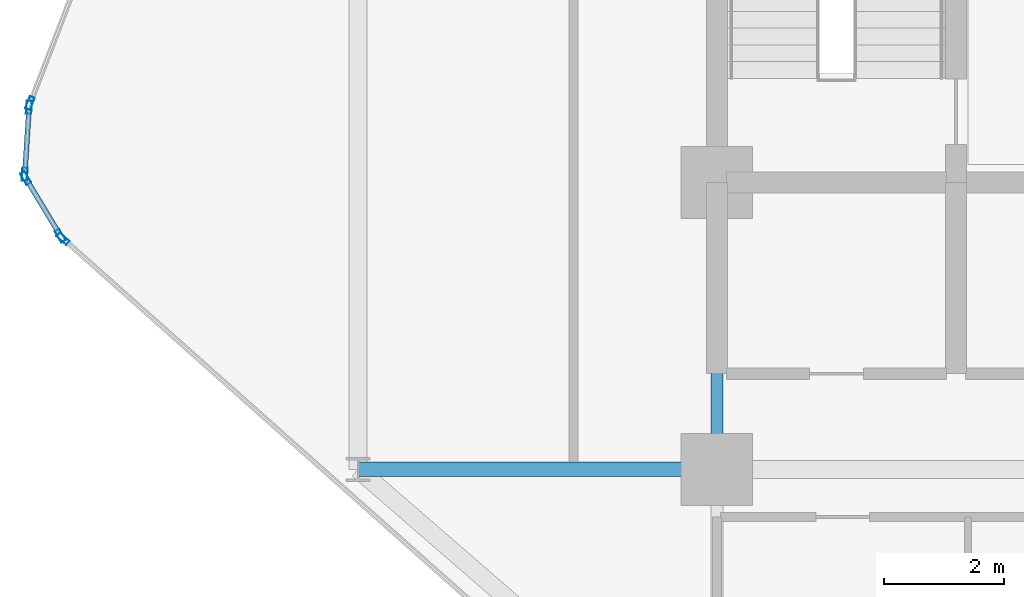
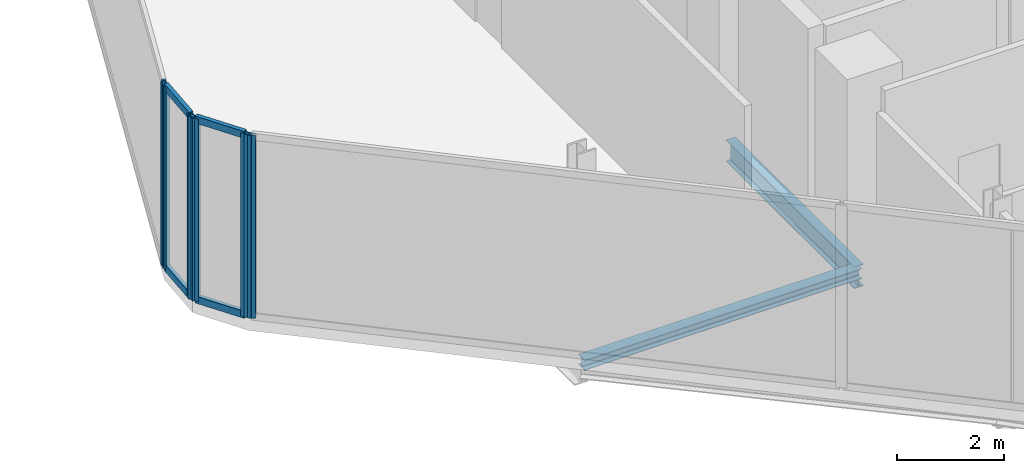
# One storey, part 6 of 30: 10 members, 2 beams, 4 elements without a shape of their own.
"""IFC4 building model written with IfcOpenShell, lengths in metres."""

from ifc_helpers import new_model, si_unit, direction, frame, origin, origin_2d, place, context, subcontext, project, spatial, hollow_rectangle, i_section, extrude, material, layer, layer_set, material_profile, profile_set, type_object, element, aggregate, save


model = new_model("IFC4")

# Units and contexts
model_context = context("Model", 3, precision=1e-05, world=origin(), true_north=direction((0.0, 1.0)))
body_context = subcontext(model_context, "Body", "Model", "MODEL_VIEW")
ifc_project = project(units=[si_unit("LENGTHUNIT", "METRE"), si_unit("AREAUNIT", "SQUARE_METRE"), si_unit("VOLUMEUNIT", "CUBIC_METRE"), si_unit("PLANEANGLEUNIT", "RADIAN"), si_unit("MASSUNIT", "GRAM", prefix="KILO")], contexts=[model_context])

# Site, building, storey
site_placement = place(None, origin())
site = spatial("IfcSite", under=ifc_project, at=site_placement, CompositionType="ELEMENT")
building_placement = place(site_placement, origin())
building = spatial("IfcBuilding", under=site, at=building_placement, Name="Keshet Zoharim Tower", CompositionType="ELEMENT")
storey_placement = place(building_placement, frame((0.0, 0.0, 65.60009765625)))
storey = spatial("IfcBuildingStorey", under=building, at=storey_placement, Name="L15", CompositionType="ELEMENT", Elevation=65.60009765625)

# Beams
ifc_material_1 = material(Name="Steel S355", Category="steel")
ifc_material_profile_1 = material_profile(ifc_material_1, i_section(OverallWidth=0.239990234375, OverallDepth=0.22998046875, WebThickness=0.007568359375, FlangeThickness=0.011962890625, FilletRadius=0.02099609375, at=origin_2d()), Name="HEA240")
ifc_profile_set_1 = profile_set([ifc_material_profile_1], Name="Steel S355")
beam_type_1 = type_object("IfcBeamType", Name="BM-LNT-HA240", PredefinedType="LINTEL", material=ifc_profile_set_1)
beam_1_placement = place(storey_placement, frame((9.0, 17.89990234375, -0.43505859375), z_axis=(1.0, 0.0, 0.0), x_axis=(0.0, 1.0, 0.0)))
element("IfcBeam", 1, at=beam_1_placement, inside=storey, type_object=beam_type_1, Name="L15 Primary Girder X-012", PredefinedType="LINTEL", context=body_context, shape_type="SweptSolid", body=[
    extrude(i_section(OverallWidth=0.239990234375, OverallDepth=0.22998046875, WebThickness=0.007568359375, FlangeThickness=0.011962890625, FilletRadius=0.02099609375, at=origin_2d()), origin(), (0.0, 0.0, 1.0), 6.0),
])
ifc_material_profile_2 = material_profile(ifc_material_1, i_section(OverallWidth=0.199951171875, OverallDepth=0.5, WebThickness=0.01025390625, FlangeThickness=0.01611328125, FilletRadius=0.02099609375, at=origin_2d()), Name="IPE500")
ifc_profile_set_2 = profile_set([ifc_material_profile_2], Name="Steel S355")
beam_type_2 = type_object("IfcBeamType", Name="BM-PRI-IP500", PredefinedType="BEAM", material=ifc_profile_set_2)
beam_2_placement = place(storey_placement, frame((15.0, 17.89990234375, -0.570068359375), z_axis=(0.0, 1.0, 0.0), x_axis=(-1.0, 0.0, 0.0)))
element("IfcBeam", 2, at=beam_2_placement, inside=storey, type_object=beam_type_2, Name="L15 Primary Girder Y-003", PredefinedType="BEAM", context=body_context, shape_type="SweptSolid", body=[
    extrude(i_section(OverallWidth=0.199951171875, OverallDepth=0.5, WebThickness=0.01025390625, FlangeThickness=0.01611328125, FilletRadius=0.02099609375, at=origin_2d()), origin(), (0.0, 0.0, 1.0), 4.800048828125),
])

# Curtain wall, member
ifc_material_2 = material(Name="Aluminium 6063-T6", Category="aluminium")
ifc_layer = layer(ifc_material_2, 0.179931640625)
ifc_layer_set = layer_set([ifc_layer], Name="Aluminium 6063-T6")
curtain_wall_type = type_object("IfcCurtainWallType", Name="CW-SYS-01", PredefinedType="NOTDEFINED", material=ifc_layer_set)
curtain_wall_1_placement = place(storey_placement, origin())
curtain_wall_1 = element("IfcCurtainWall", 3, at=curtain_wall_1_placement, inside=storey, type_object=curtain_wall_type, Name="L15 Unitised Curtain Wall 01", PredefinedType="NOTDEFINED")
ifc_material_profile_3 = material_profile(ifc_material_2, hollow_rectangle(XDim=0.090087890625, YDim=0.219970703125, WallThickness=0.0048828125, at=origin_2d()), Name="MUL-90x220")
ifc_profile_set_3 = profile_set([ifc_material_profile_3], Name="Aluminium 6063-T6")
member_type_1 = type_object("IfcMemberType", Name="CWM-M22", PredefinedType="MULLION", material=ifc_profile_set_3)
member_1_placement = place(storey_placement, frame((3.509521484375, 24.025634765625, 0.0), z_axis=(0.0, 0.0, 1.0), x_axis=(-0.933341404361, 0.358990003907, 0.0)))
member_1 = element("IfcMember", 4, at=member_1_placement, type_object=member_type_1, Name="CW-01 mullion 1", PredefinedType="MULLION", context=body_context, shape_type="SweptSolid", body=[
    extrude(hollow_rectangle(XDim=0.090087890625, YDim=0.219970703125, WallThickness=0.0048828125, at=origin_2d()), origin(), (0.0, 0.0, 1.0), 4.184814453125),
])
aggregate(curtain_wall_1, [member_1])

curtain_wall_2_placement = place(storey_placement, origin())
curtain_wall_2 = element("IfcCurtainWall", 5, at=curtain_wall_2_placement, inside=storey, type_object=curtain_wall_type, Name="L15 Unitised Curtain Wall 23", PredefinedType="NOTDEFINED")
member_2_placement = place(storey_placement, frame((4.061279296875, 21.7568359375, 0.0), z_axis=(0.0, 0.0, 1.0), x_axis=(-0.664363838836, -0.747409318679, 0.0)))
member_2 = element("IfcMember", 6, at=member_2_placement, type_object=member_type_1, Name="CW-01 mullion 3", PredefinedType="MULLION", context=body_context, shape_type="SweptSolid", body=[
    extrude(hollow_rectangle(XDim=0.090087890625, YDim=0.219970703125, WallThickness=0.0048828125, at=origin_2d()), origin(), (0.0, 0.0, 1.0), 4.184814453125),
])
aggregate(curtain_wall_2, [member_2])

# Curtain wall, members
curtain_wall_3_placement = place(storey_placement, origin())
curtain_wall_3 = element("IfcCurtainWall", 7, at=curtain_wall_3_placement, inside=storey, type_object=curtain_wall_type, Name="L15 Unitised Curtain Wall 24", PredefinedType="NOTDEFINED")
member_3_placement = place(storey_placement, frame((4.016845703125, 21.81005859375, 0.0), z_axis=(0.0, 0.0, 1.0), x_axis=(-0.856826433805, -0.515604947933, 0.0)))
member_3 = element("IfcMember", 8, at=member_3_placement, type_object=member_type_1, Name="CW-01 mullion 1", PredefinedType="MULLION", context=body_context, shape_type="SweptSolid", body=[
    extrude(hollow_rectangle(XDim=0.090087890625, YDim=0.219970703125, WallThickness=0.0048828125, at=origin_2d()), origin(), (0.0, 0.0, 1.0), 4.184814453125),
])
member_4_placement = place(storey_placement, frame((3.43798828125, 22.77197265625, 0.0), z_axis=(0.0, 0.0, 1.0), x_axis=(-0.856826433805, -0.515604947933, 0.0)))
member_4 = element("IfcMember", 9, at=member_4_placement, type_object=member_type_1, Name="CW-01 mullion 2", PredefinedType="MULLION", context=body_context, shape_type="SweptSolid", body=[
    extrude(hollow_rectangle(XDim=0.090087890625, YDim=0.219970703125, WallThickness=0.0048828125, at=origin_2d()), origin(), (0.0, 0.0, 1.0), 4.184814453125),
])

curtain_wall_4_placement = place(storey_placement, origin())
curtain_wall_4 = element("IfcCurtainWall", 10, at=curtain_wall_4_placement, inside=storey, type_object=curtain_wall_type, Name="L15 Unitised Curtain Wall 25", PredefinedType="NOTDEFINED")
member_5_placement = place(storey_placement, frame((3.42236328125, 22.8369140625, 0.0), z_axis=(0.0, 0.0, 1.0), x_axis=(-0.997916617186, 0.064516859374, 0.0)))
member_5 = element("IfcMember", 11, at=member_5_placement, type_object=member_type_1, Name="CW-01 mullion 1", PredefinedType="MULLION", context=body_context, shape_type="SweptSolid", body=[
    extrude(hollow_rectangle(XDim=0.090087890625, YDim=0.219970703125, WallThickness=0.0048828125, at=origin_2d()), origin(), (0.0, 0.0, 1.0), 4.184814453125),
])
member_6_placement = place(storey_placement, frame((3.49462890625, 23.9580078125, 0.0), z_axis=(0.0, 0.0, 1.0), x_axis=(-0.997916617186, 0.064516859374, 0.0)))
member_6 = element("IfcMember", 12, at=member_6_placement, type_object=member_type_1, Name="CW-01 mullion 2", PredefinedType="MULLION", context=body_context, shape_type="SweptSolid", body=[
    extrude(hollow_rectangle(XDim=0.090087890625, YDim=0.219970703125, WallThickness=0.0048828125, at=origin_2d()), origin(), (0.0, 0.0, 1.0), 4.184814453125),
])

# Member
ifc_material_profile_4 = material_profile(ifc_material_2, hollow_rectangle(XDim=0.0849609375, YDim=0.159912109375, WallThickness=0.00439453125, at=origin_2d()), Name="TRN-85x160")
ifc_profile_set_4 = profile_set([ifc_material_profile_4], Name="Aluminium 6063-T6")
member_type_2 = type_object("IfcMemberType", Name="CWT-T16", PredefinedType="USERDEFINED", material=ifc_profile_set_4)
member_7_placement = place(storey_placement, frame((3.9990234375, 21.840087890625, 0.034912109375), z_axis=(-0.515791194107, 0.856714330499, 0.0), x_axis=(-0.856714330499, -0.515791194107, 0.0)))
member_7 = element("IfcMember", 13, at=member_7_placement, type_object=member_type_2, Name="CW-01 transom 1.1", ObjectType="TRANSOM", PredefinedType="USERDEFINED", context=body_context, shape_type="SweptSolid", body=[
    extrude(hollow_rectangle(XDim=0.0849609375, YDim=0.159912109375, WallThickness=0.00439453125, at=origin_2d()), origin(), (0.0, 0.0, 1.0), 1.052734375),
])

member_8_placement = place(storey_placement, frame((3.9990234375, 21.840087890625, 4.14990234375), z_axis=(-0.515791194107, 0.856714330499, 0.0), x_axis=(-0.856714330499, -0.515791194107, 0.0)))
member_8 = element("IfcMember", 14, at=member_8_placement, type_object=member_type_2, Name="CW-01 transom 1.2", ObjectType="TRANSOM", PredefinedType="USERDEFINED", context=body_context, shape_type="SweptSolid", body=[
    extrude(hollow_rectangle(XDim=0.0849609375, YDim=0.159912109375, WallThickness=0.00439453125, at=origin_2d()), origin(), (0.0, 0.0, 1.0), 1.052734375),
])

aggregate(curtain_wall_3, [member_3, member_4, member_7, member_8])

member_9_placement = place(storey_placement, frame((3.424560546875, 22.871826171875, 0.034912109375), z_axis=(0.064426947155, 0.997922426083, 0.0), x_axis=(-0.997922426083, 0.064426947155, 0.0)))
member_9 = element("IfcMember", 15, at=member_9_placement, type_object=member_type_2, Name="CW-01 transom 1.1", ObjectType="TRANSOM", PredefinedType="USERDEFINED", context=body_context, shape_type="SweptSolid", body=[
    extrude(hollow_rectangle(XDim=0.0849609375, YDim=0.159912109375, WallThickness=0.00439453125, at=origin_2d()), origin(), (0.0, 0.0, 1.0), 1.053466796875),
])

member_10_placement = place(storey_placement, frame((3.424560546875, 22.871826171875, 4.14990234375), z_axis=(0.064426947155, 0.997922426083, 0.0), x_axis=(-0.997922426083, 0.064426947155, 0.0)))
member_10 = element("IfcMember", 16, at=member_10_placement, type_object=member_type_2, Name="CW-01 transom 1.2", ObjectType="TRANSOM", PredefinedType="USERDEFINED", context=body_context, shape_type="SweptSolid", body=[
    extrude(hollow_rectangle(XDim=0.0849609375, YDim=0.159912109375, WallThickness=0.00439453125, at=origin_2d()), origin(), (0.0, 0.0, 1.0), 1.053466796875),
])

aggregate(curtain_wall_4, [member_5, member_6, member_9, member_10])

save(model, "model.ifc")
